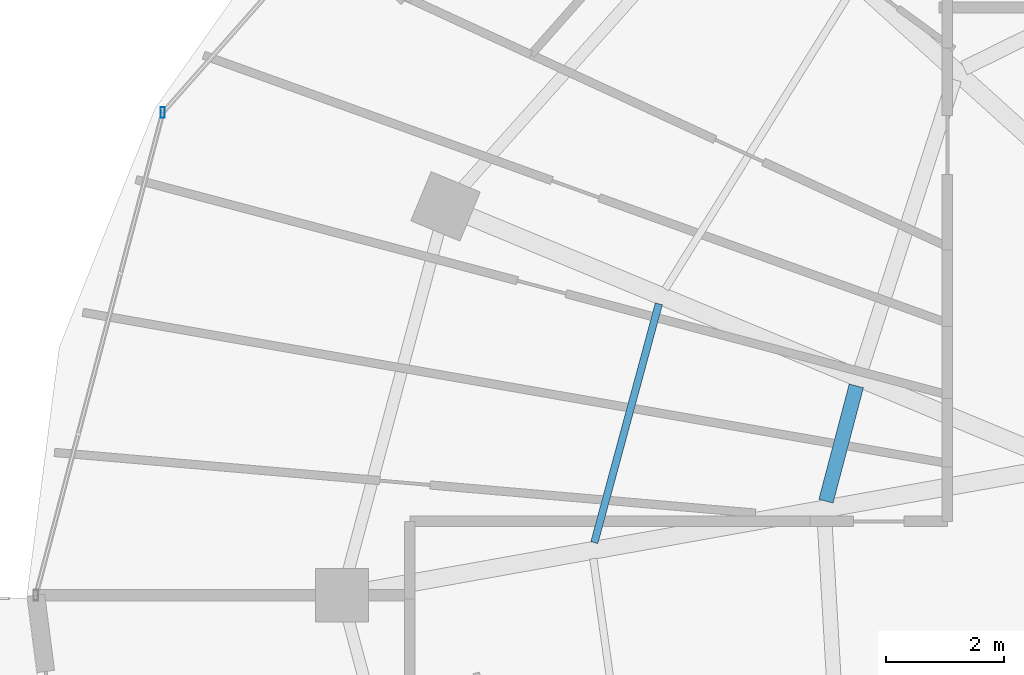
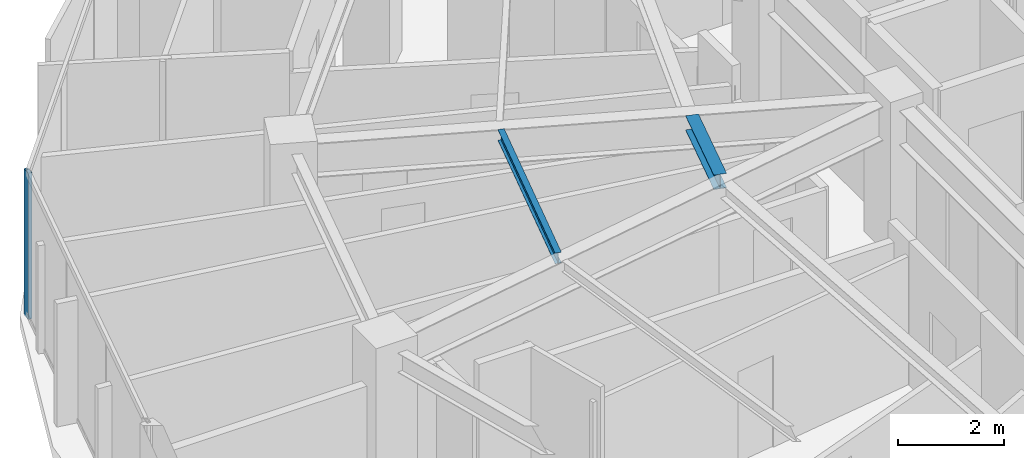
# One storey, part 9 of 33: 2 beams, 1 member, 1 element without a shape of its own.
"""IFC4 building model written with IfcOpenShell, lengths in metres."""

from ifc_helpers import new_model, si_unit, direction, frame, origin, origin_2d, place, context, subcontext, project, spatial, hollow_rectangle, i_section, extrude, material, material_profile, profile_set, type_object, element, aggregate, save


model = new_model("IFC4")

# Units and contexts
model_context = context("Model", 3, precision=1e-05, world=origin(), true_north=direction((0.0, 1.0)))
body_context = subcontext(model_context, "Body", "Model", "MODEL_VIEW")
ifc_project = project(units=[si_unit("LENGTHUNIT", "METRE"), si_unit("AREAUNIT", "SQUARE_METRE"), si_unit("VOLUMEUNIT", "CUBIC_METRE"), si_unit("PLANEANGLEUNIT", "RADIAN"), si_unit("MASSUNIT", "GRAM", prefix="KILO")], contexts=[model_context])

# Site, building, storey
site_placement = place(None, origin())
site = spatial("IfcSite", under=ifc_project, at=site_placement, CompositionType="ELEMENT")
building_placement = place(site_placement, origin())
building = spatial("IfcBuilding", under=site, at=building_placement, Name="Vorneva Point Tower", CompositionType="ELEMENT")
storey_placement = place(building_placement, frame((0.0, 0.0, 200.10009765625)))
storey = spatial("IfcBuildingStorey", under=building, at=storey_placement, Name="L54", CompositionType="ELEMENT", Elevation=200.10009765625)

# Beams
ifc_material_1 = material(Name="Steel S355", Category="steel")
ifc_material_profile_1 = material_profile(ifc_material_1, i_section(OverallWidth=0.1240234375, OverallDepth=0.248046875, WebThickness=0.0048828125, FlangeThickness=0.008056640625, at=origin_2d()), Name="25B1")
ifc_profile_set_1 = profile_set([ifc_material_profile_1], Name="Steel S355")
beam_type_1 = type_object("IfcBeamType", Name="BM-JST-25B1", PredefinedType="JOIST", material=ifc_profile_set_1)
beam_1_placement = place(storey_placement, frame((20.31591796875, 30.933349609375, 3.166015625), z_axis=(-0.260916367876, -0.965361408476, 0.0), x_axis=(0.965361408476, -0.260916367876, 0.0)))
element("IfcBeam", 1, at=beam_1_placement, inside=storey, type_object=beam_type_1, Name="L54 Secondary Floor Beam 1.08", PredefinedType="JOIST", context=body_context, shape_type="SweptSolid", body=[
    extrude(i_section(OverallWidth=0.1240234375, OverallDepth=0.248046875, WebThickness=0.0048828125, FlangeThickness=0.008056640625, at=origin_2d()), origin(), (0.0, 0.0, 1.0), 4.187255859375),
])
ifc_material_profile_2 = material_profile(ifc_material_1, i_section(OverallWidth=0.2490234375, OverallDepth=0.333984375, WebThickness=0.008056640625, FlangeThickness=0.010986328125, at=origin_2d()), Name="35Sh1")
ifc_profile_set_2 = profile_set([ifc_material_profile_2], Name="Steel S355")
beam_type_2 = type_object("IfcBeamType", Name="BM-SEC-35Sh1", PredefinedType="BEAM", material=ifc_profile_set_2)
beam_2_placement = place(storey_placement, frame((23.657958984375, 29.544677734375, 3.122802734375), z_axis=(-0.254499253251, -0.967072970409, 0.0), x_axis=(0.967072970409, -0.254499253251, 0.0)))
element("IfcBeam", 2, at=beam_2_placement, inside=storey, type_object=beam_type_2, Name="L54 Secondary Floor Beam 2.08", PredefinedType="BEAM", context=body_context, shape_type="SweptSolid", body=[
    extrude(i_section(OverallWidth=0.2490234375, OverallDepth=0.333984375, WebThickness=0.008056640625, FlangeThickness=0.010986328125, at=origin_2d()), origin(), (0.0, 0.0, 1.0), 2.018310546875),
])

# Curtain wall, member
ifc_material_2 = material(Name="Pale anodised aluminium", Category="aluminium")
curtain_wall_type = type_object("IfcCurtainWallType", Name="CW-RES-SYS", PredefinedType="NOTDEFINED", material=ifc_material_2)
curtain_wall_placement = place(storey_placement, origin())
curtain_wall = element("IfcCurtainWall", 3, at=curtain_wall_placement, inside=storey, type_object=curtain_wall_type, Name="L54 Unitised Curtain Wall CW-L54-R02", PredefinedType="NOTDEFINED")
ifc_material_profile_3 = material_profile(ifc_material_2, hollow_rectangle(XDim=0.074951171875, YDim=0.179931640625, WallThickness=0.00390625, at=origin_2d()), Name="AL-MUL 180x75x4")
ifc_profile_set_3 = profile_set([ifc_material_profile_3], Name="Pale anodised aluminium")
member_type = type_object("IfcMemberType", Name="CW-MUL-180", PredefinedType="MULLION", material=ifc_profile_set_3)
member_placement = place(storey_placement, frame((11.9189453125, 34.17041015625, -0.0400390625), z_axis=(0.0, 0.0, 1.0), x_axis=(1.0, 0.0, 0.0)))
member = element("IfcMember", 4, at=member_placement, type_object=member_type, Name="CW-L54-R02 Mullion 02", PredefinedType="MULLION", context=body_context, shape_type="SweptSolid", body=[
    extrude(hollow_rectangle(XDim=0.074951171875, YDim=0.179931640625, WallThickness=0.00390625, at=origin_2d()), origin(), (0.0, 0.0, 1.0), 3.35986328125),
])
aggregate(curtain_wall, [member])

save(model, "model.ifc")
